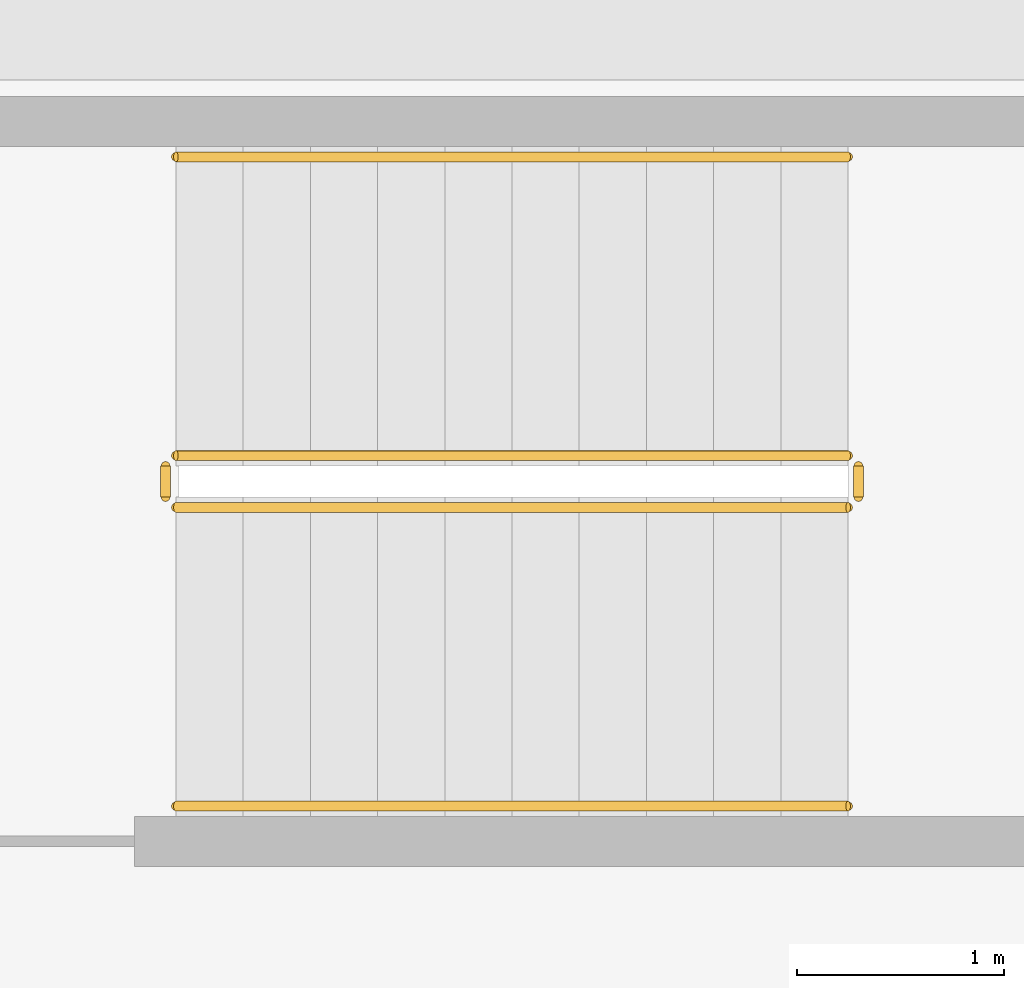
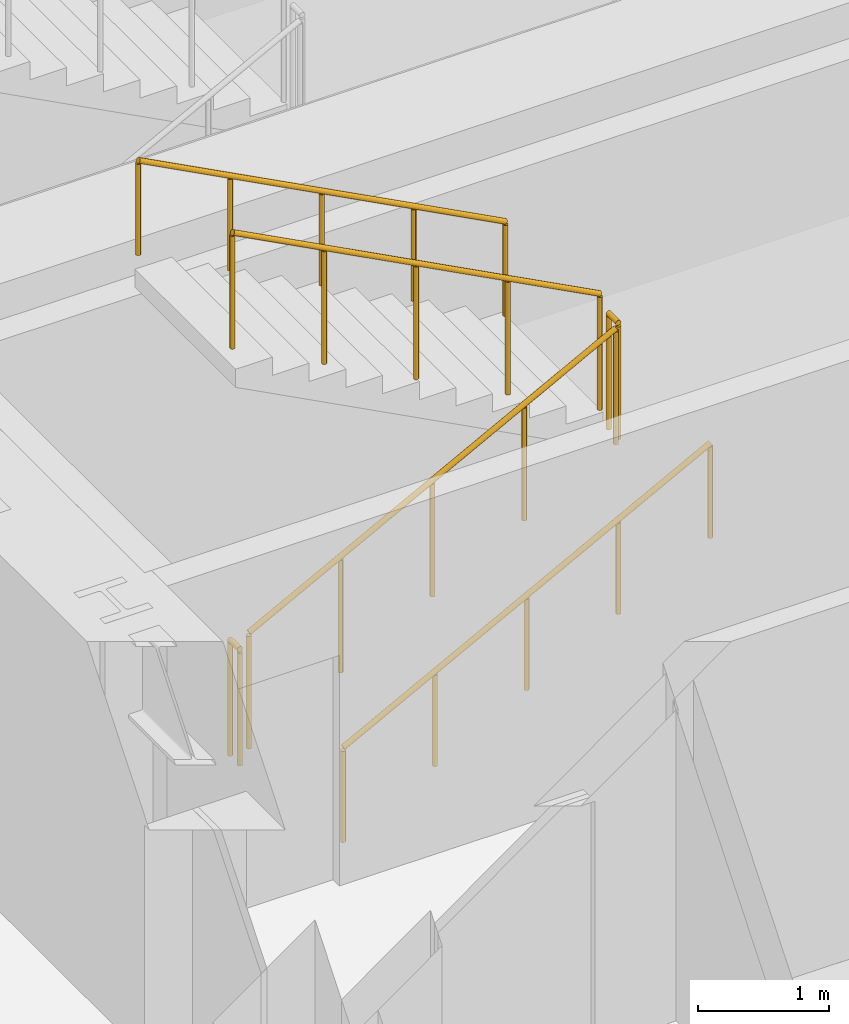
# One storey, part 11 of 14: 6 railings.
"""IFC4 building model written with IfcOpenShell, lengths in metres."""

from ifc_helpers import new_model, si_unit, direction, frame, origin, origin_2d, place, context, subcontext, project, spatial, circle, extrude, material, type_object, element, save


model = new_model("IFC4")

# Units and contexts
model_context = context("Model", 3, precision=1e-05, world=origin(), true_north=direction((0.0, 1.0)))
body_context = subcontext(model_context, "Body", "Model", "MODEL_VIEW")
ifc_project = project(units=[si_unit("LENGTHUNIT", "METRE"), si_unit("AREAUNIT", "SQUARE_METRE"), si_unit("VOLUMEUNIT", "CUBIC_METRE"), si_unit("PLANEANGLEUNIT", "RADIAN"), si_unit("MASSUNIT", "GRAM", prefix="KILO")], contexts=[model_context])

# Site, building, storey
site_placement = place(None, origin())
site = spatial("IfcSite", under=ifc_project, at=site_placement, CompositionType="ELEMENT")
building_placement = place(site_placement, origin())
building = spatial("IfcBuilding", under=site, at=building_placement, Name="Kolvaren Arena Tower", CompositionType="ELEMENT")
storey_placement = place(building_placement, frame((0.0, 0.0, 90.75)))
storey = spatial("IfcBuildingStorey", under=building, at=storey_placement, Name="L20", CompositionType="ELEMENT", Elevation=90.75)

# Railings
ifc_material_1 = material(Name="Painted galvanized steel", Category="steel")
railing_type_1 = type_object("IfcRailingType", Name="GUARD-ST-110", PredefinedType="GUARDRAIL", material=ifc_material_1)
railing_1_placement = place(storey_placement, frame((52.719970703125, 31.639892578125, 0.17041015625)))
element("IfcRailing", 1, at=railing_1_placement, inside=storey, type_object=railing_type_1, Name="L20 ST-E1 stair guard 1", PredefinedType="GUARDRAIL", context=body_context, shape_type="SweptSolid", body=[
    extrude(circle(Radius=0.02392578125, at=origin_2d()), frame((0.0, 0.0, 1.076171875), z_axis=(0.884993431791, 0.0, 0.465603506952), x_axis=(0.0, 1.0, 0.0)), (0.0, 0.0, 1.0), 3.6611328125),
    extrude(circle(Radius=0.02099609375, at=origin_2d()), origin(), (0.0, 0.0, 1.0), 1.052001953125),
    extrude(circle(Radius=0.02099609375, at=origin_2d()), frame((0.81005859375, 0.0, 0.42626953125)), (0.0, 0.0, 1.0), 1.052001953125),
    extrude(circle(Radius=0.02099609375, at=origin_2d()), frame((1.6201171875, 0.0, 0.852294921875)), (0.0, 0.0, 1.0), 1.052001953125),
    extrude(circle(Radius=0.02099609375, at=origin_2d()), frame((2.429931640625, 0.0, 1.2783203125)), (0.0, 0.0, 1.0), 1.052001953125),
    extrude(circle(Radius=0.02099609375, at=origin_2d()), frame((3.239990234375, 0.0, 1.70458984375)), (0.0, 0.0, 1.0), 1.052001953125),
])
railing_2_placement = place(storey_placement, frame((56.010009765625, 31.68994140625, 1.875)))
element("IfcRailing", 2, at=railing_2_placement, inside=storey, type_object=railing_type_1, Name="L20 ST-E1 stair guard 2", PredefinedType="GUARDRAIL", context=body_context, shape_type="SweptSolid", body=[
    extrude(circle(Radius=0.02392578125, at=origin_2d()), frame((0.0, 0.0, 1.076171875), z_axis=(0.0, 1.0, 0.0), x_axis=(-1.0, 0.0, 0.0)), (0.0, 0.0, 1.0), 0.150146484375),
    extrude(circle(Radius=0.02099609375, at=origin_2d()), origin(), (0.0, 0.0, 1.0), 1.052001953125),
    extrude(circle(Radius=0.02099609375, at=origin_2d()), frame((0.0, 0.150146484375, 0.0)), (0.0, 0.0, 1.0), 1.052001953125),
])
railing_3_placement = place(storey_placement, frame((55.9599609375, 31.889892578125, 2.04541015625)))
element("IfcRailing", 3, at=railing_3_placement, inside=storey, type_object=railing_type_1, Name="L20 ST-E1 stair guard 3", PredefinedType="GUARDRAIL", context=body_context, shape_type="SweptSolid", body=[
    extrude(circle(Radius=0.02392578125, at=origin_2d()), frame((0.0, 0.0, 1.076171875), z_axis=(-0.884993431791, 0.0, 0.465603506952), x_axis=(0.0, -1.0, 0.0)), (0.0, 0.0, 1.0), 3.6611328125),
    extrude(circle(Radius=0.02099609375, at=origin_2d()), origin(), (0.0, 0.0, 1.0), 1.052001953125),
    extrude(circle(Radius=0.02099609375, at=origin_2d()), frame((-0.81005859375, 0.0, 0.42626953125)), (0.0, 0.0, 1.0), 1.052001953125),
    extrude(circle(Radius=0.02099609375, at=origin_2d()), frame((-1.6201171875, 0.0, 0.852294921875)), (0.0, 0.0, 1.0), 1.052001953125),
    extrude(circle(Radius=0.02099609375, at=origin_2d()), frame((-2.429931640625, 0.0, 1.2783203125)), (0.0, 0.0, 1.0), 1.052001953125),
    extrude(circle(Radius=0.02099609375, at=origin_2d()), frame((-3.239990234375, 0.0, 1.70458984375)), (0.0, 0.0, 1.0), 1.052001953125),
])
railing_4_placement = place(storey_placement, frame((52.669921875, 31.68994140625, 0.0)))
element("IfcRailing", 4, at=railing_4_placement, inside=storey, type_object=railing_type_1, Name="L20 ST-E1 stair guard 4", PredefinedType="GUARDRAIL", context=body_context, shape_type="SweptSolid", body=[
    extrude(circle(Radius=0.02392578125, at=origin_2d()), frame((0.0, 0.0, 1.076171875), z_axis=(0.0, 1.0, 0.0), x_axis=(-1.0, 0.0, 0.0)), (0.0, 0.0, 1.0), 0.150146484375),
    extrude(circle(Radius=0.02099609375, at=origin_2d()), origin(), (0.0, 0.0, 1.0), 1.052001953125),
    extrude(circle(Radius=0.02099609375, at=origin_2d()), frame((0.0, 0.150146484375, 0.0)), (0.0, 0.0, 1.0), 1.052001953125),
])
ifc_material_2 = material(Name="Brushed stainless steel handrail", Category="steel")
railing_type_2 = type_object("IfcRailingType", Name="HRAIL-900", PredefinedType="HANDRAIL", material=ifc_material_2)
railing_5_placement = place(storey_placement, frame((52.719970703125, 30.199951171875, 0.17041015625)))
element("IfcRailing", 5, at=railing_5_placement, inside=storey, type_object=railing_type_2, Name="L20 ST-E1 stair handrail 1", PredefinedType="HANDRAIL", context=body_context, shape_type="SweptSolid", body=[
    extrude(circle(Radius=0.02392578125, at=origin_2d()), frame((0.0, 0.0, 0.8759765625), z_axis=(0.884993431791, 0.0, 0.465603506952), x_axis=(0.0, 1.0, 0.0)), (0.0, 0.0, 1.0), 3.6611328125),
    extrude(circle(Radius=0.02099609375, at=origin_2d()), origin(), (0.0, 0.0, 1.0), 0.851806640625),
    extrude(circle(Radius=0.02099609375, at=origin_2d()), frame((0.81005859375, 0.0, 0.42626953125)), (0.0, 0.0, 1.0), 0.851806640625),
    extrude(circle(Radius=0.02099609375, at=origin_2d()), frame((1.6201171875, 0.0, 0.852294921875)), (0.0, 0.0, 1.0), 0.851806640625),
    extrude(circle(Radius=0.02099609375, at=origin_2d()), frame((2.429931640625, 0.0, 1.2783203125)), (0.0, 0.0, 1.0), 0.851806640625),
    extrude(circle(Radius=0.02099609375, at=origin_2d()), frame((3.239990234375, 0.0, 1.70458984375)), (0.0, 0.0, 1.0), 0.851806640625),
])
railing_6_placement = place(storey_placement, frame((55.9599609375, 33.330078125, 2.04541015625)))
element("IfcRailing", 6, at=railing_6_placement, inside=storey, type_object=railing_type_2, Name="L20 ST-E1 stair handrail 2", PredefinedType="HANDRAIL", context=body_context, shape_type="SweptSolid", body=[
    extrude(circle(Radius=0.02392578125, at=origin_2d()), frame((0.0, 0.0, 0.8759765625), z_axis=(-0.884993431791, 0.0, 0.465603506952), x_axis=(0.0, -1.0, 0.0)), (0.0, 0.0, 1.0), 3.6611328125),
    extrude(circle(Radius=0.02099609375, at=origin_2d()), origin(), (0.0, 0.0, 1.0), 0.851806640625),
    extrude(circle(Radius=0.02099609375, at=origin_2d()), frame((-0.81005859375, 0.0, 0.42626953125)), (0.0, 0.0, 1.0), 0.851806640625),
    extrude(circle(Radius=0.02099609375, at=origin_2d()), frame((-1.6201171875, 0.0, 0.852294921875)), (0.0, 0.0, 1.0), 0.851806640625),
    extrude(circle(Radius=0.02099609375, at=origin_2d()), frame((-2.429931640625, 0.0, 1.2783203125)), (0.0, 0.0, 1.0), 0.851806640625),
    extrude(circle(Radius=0.02099609375, at=origin_2d()), frame((-3.239990234375, 0.0, 1.70458984375)), (0.0, 0.0, 1.0), 0.851806640625),
])

save(model, "model.ifc")
